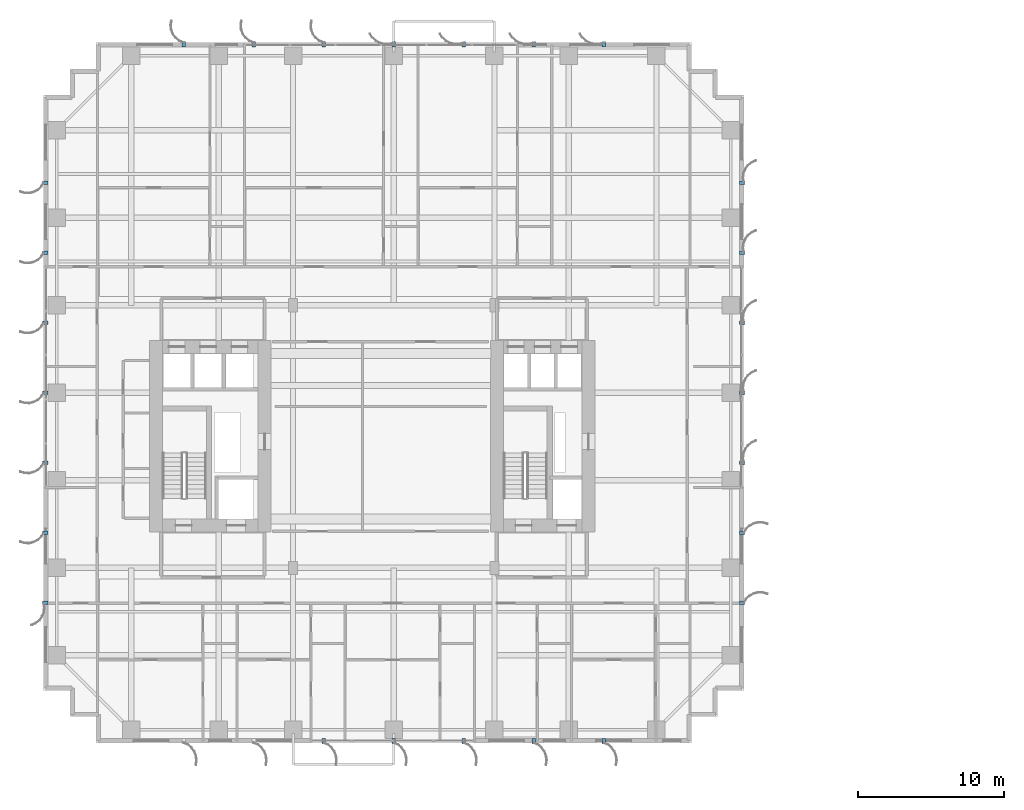
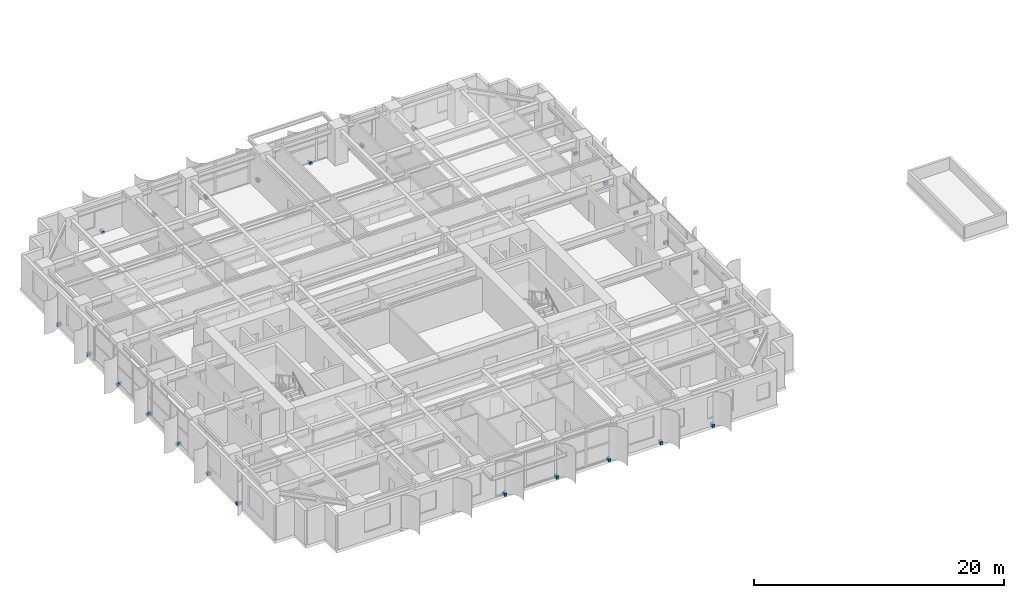
# One storey, part 22 of 26: 26 discrete accessories.
"""IFC4 building model written with IfcOpenShell, lengths in metres."""

from ifc_helpers import new_model, si_unit, direction, frame, origin, origin_2d, place, context, subcontext, project, spatial, rectangle, extrude, source, transform, mapped, material, type_object, element, save


model = new_model("IFC4")

# Units and contexts
model_context = context("Model", 3, precision=1e-05, world=origin(), true_north=direction((0.0, 1.0)))
body_context = subcontext(model_context, "Body", "Model", "MODEL_VIEW")
ifc_project = project(units=[si_unit("LENGTHUNIT", "METRE"), si_unit("AREAUNIT", "SQUARE_METRE"), si_unit("VOLUMEUNIT", "CUBIC_METRE"), si_unit("PLANEANGLEUNIT", "RADIAN"), si_unit("MASSUNIT", "GRAM", prefix="KILO")], contexts=[model_context])

# Site, building, storey
site_placement = place(None, origin())
site = spatial("IfcSite", under=ifc_project, at=site_placement, CompositionType="ELEMENT")
building_placement = place(site_placement, origin())
building = spatial("IfcBuilding", under=site, at=building_placement, Name="Khoralis Quay Care Tower", CompositionType="ELEMENT")
storey_placement = place(building_placement, frame((0.0, 0.0, 26.10009765625)))
storey = spatial("IfcBuildingStorey", under=building, at=storey_placement, Name="L06", CompositionType="ELEMENT", Elevation=26.10009765625)

# Discrete accessories
ifc_material = material(Name="Brushed stainless steel", Category="steel")
discrete_accessory_type = type_object("IfcDiscreteAccessoryType", Name="ACC-FIN-BRACKET", PredefinedType="BRACKET", material=ifc_material)
shared_shape = source(origin(), body_context, "Body", "SweptSolid", [
    extrude(rectangle(XDim=0.39990234375, YDim=0.239990234375, at=origin_2d()), origin(), (0.0, 0.0, 1.0), 0.280029296875),
])
for number, where, z_axis, x_axis, name in (
    (1, (19.199951171875, 0.110107421875, -0.1201171875), (0.0, 0.0, 1.0), (0.0, -1.0, 0.0), "L06 Solar Fin Bracket P1E0-03"),
    (2, (24.0, 0.110107421875, -0.1201171875), (0.0, 0.0, 1.0), (0.0, -1.0, 0.0), "L06 Solar Fin Bracket P1E0-04"),
    (3, (28.800048828125, 0.110107421875, -0.1201171875), (0.0, 0.0, 1.0), (0.0, -1.0, 0.0), "L06 Solar Fin Bracket P1E0-05"),
    (4, (33.60009765625, 0.110107421875, -0.1201171875), (0.0, 0.0, 1.0), (0.0, -1.0, 0.0), "L06 Solar Fin Bracket P1E0-06"),
    (5, (38.39990234375, 0.110107421875, -0.1201171875), (0.0, 0.0, 1.0), (0.0, -1.0, 0.0), "L06 Solar Fin Bracket P1E0-07"),
    (6, (47.889892578125, 9.60009765625, -0.1201171875), (0.0, 0.0, 1.0), (1.0, 0.0, 0.0), "L06 Solar Fin Bracket P1E5-01"),
    (7, (47.889892578125, 14.39990234375, -0.1201171875), (0.0, 0.0, 1.0), (1.0, 0.0, 0.0), "L06 Solar Fin Bracket P1E5-02"),
    (8, (47.889892578125, 19.199951171875, -0.1201171875), (0.0, 0.0, 1.0), (1.0, 0.0, 0.0), "L06 Solar Fin Bracket P1E5-03"),
    (9, (47.889892578125, 24.0, -0.1201171875), (0.0, 0.0, 1.0), (1.0, 0.0, 0.0), "L06 Solar Fin Bracket P1E5-04"),
    (10, (47.889892578125, 28.800048828125, -0.1201171875), (0.0, 0.0, 1.0), (1.0, 0.0, 0.0), "L06 Solar Fin Bracket P1E5-05"),
    (11, (47.889892578125, 33.60009765625, -0.1201171875), (0.0, 0.0, 1.0), (1.0, 0.0, 0.0), "L06 Solar Fin Bracket P1E5-06"),
    (12, (47.889892578125, 38.39990234375, -0.1201171875), (0.0, 0.0, 1.0), (1.0, 0.0, 0.0), "L06 Solar Fin Bracket P1E5-07"),
    (13, (38.39990234375, 47.889892578125, -0.1201171875), (0.0, 0.0, 1.0), (0.0, 1.0, 0.0), "L06 Solar Fin Bracket P1E10-01"),
    (14, (33.60009765625, 47.889892578125, -0.1201171875), (0.0, 0.0, 1.0), (0.0, 1.0, 0.0), "L06 Solar Fin Bracket P1E10-02"),
    (15, (28.800048828125, 47.889892578125, -0.1201171875), (0.0, 0.0, 1.0), (0.0, 1.0, 0.0), "L06 Solar Fin Bracket P1E10-03"),
    (16, (24.0, 47.889892578125, -0.1201171875), (0.0, 0.0, 1.0), (0.0, 1.0, 0.0), "L06 Solar Fin Bracket P1E10-04"),
    (17, (19.199951171875, 47.889892578125, -0.1201171875), (0.0, 0.0, 1.0), (0.0, 1.0, 0.0), "L06 Solar Fin Bracket P1E10-05"),
    (18, (14.39990234375, 47.889892578125, -0.1201171875), (0.0, 0.0, 1.0), (0.0, 1.0, 0.0), "L06 Solar Fin Bracket P1E10-06"),
    (19, (9.60009765625, 47.889892578125, -0.1201171875), (0.0, 0.0, 1.0), (0.0, 1.0, 0.0), "L06 Solar Fin Bracket P1E10-07"),
    (20, (0.110107421875, 38.39990234375, -0.1201171875), (0.0, 0.0, 1.0), (-1.0, 0.0, 0.0), "L06 Solar Fin Bracket P1E15-01"),
    (21, (0.110107421875, 33.60009765625, -0.1201171875), (0.0, 0.0, 1.0), (-1.0, 0.0, 0.0), "L06 Solar Fin Bracket P1E15-02"),
    (22, (0.110107421875, 28.800048828125, -0.1201171875), (0.0, 0.0, 1.0), (-1.0, 0.0, 0.0), "L06 Solar Fin Bracket P1E15-03"),
    (23, (0.110107421875, 24.0, -0.1201171875), (0.0, 0.0, 1.0), (-1.0, 0.0, 0.0), "L06 Solar Fin Bracket P1E15-04"),
    (24, (0.110107421875, 19.199951171875, -0.1201171875), (0.0, 0.0, 1.0), (-1.0, 0.0, 0.0), "L06 Solar Fin Bracket P1E15-05"),
    (25, (0.110107421875, 14.39990234375, -0.1201171875), (0.0, 0.0, 1.0), (-1.0, 0.0, 0.0), "L06 Solar Fin Bracket P1E15-06"),
    (26, (0.110107421875, 9.60009765625, -0.1201171875), (0.0, 0.0, 1.0), (-1.0, 0.0, 0.0), "L06 Solar Fin Bracket P1E15-07"),
):
    element("IfcDiscreteAccessory", number, at=place(storey_placement, frame(where, z_axis=z_axis, x_axis=x_axis)), inside=storey, type_object=discrete_accessory_type, Name=name, PredefinedType="BRACKET", context=body_context, shape_type="MappedRepresentation", body=[
        mapped(shared_shape, transform((0.0, 0.0, 0.0), scale=1.0)),
    ])

save(model, "model.ifc")
